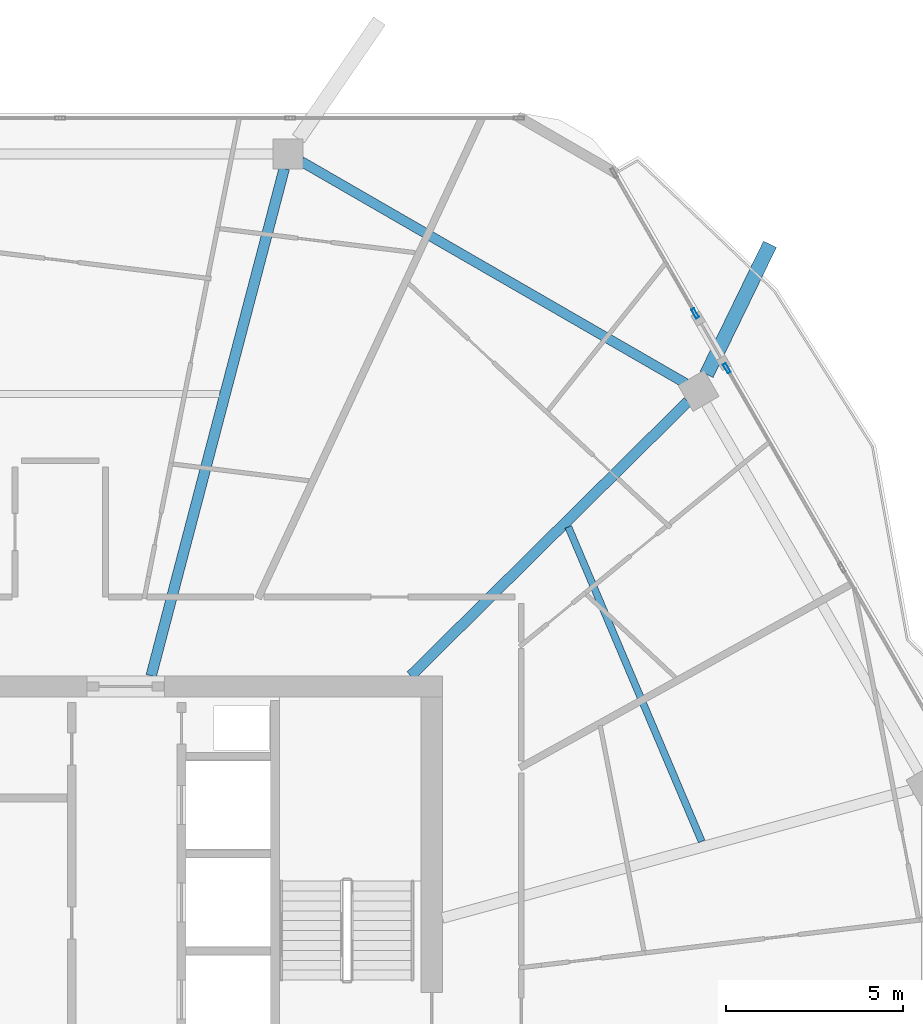
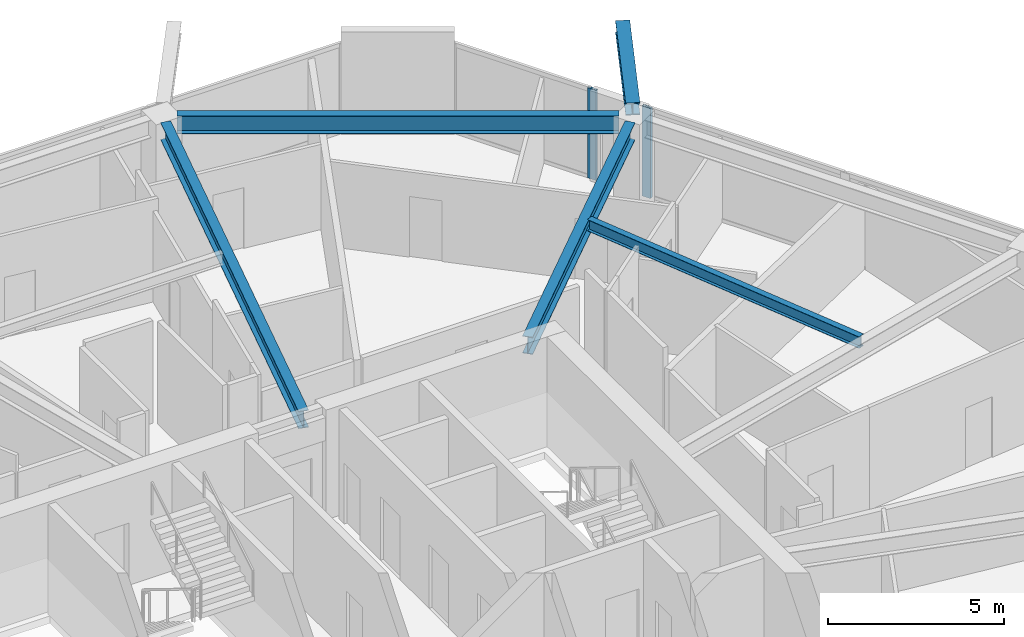
# One storey, part 14 of 26: 5 beams, 2 members, 2 elements without a shape of their own.
"""IFC4 building model written with IfcOpenShell, lengths in metres."""

from ifc_helpers import new_model, si_unit, direction, frame, origin, origin_2d, place, context, subcontext, project, spatial, hollow_rectangle, i_section, extrude, material, material_profile, profile_set, type_object, element, aggregate, save


model = new_model("IFC4")

# Units and contexts
model_context = context("Model", 3, precision=1e-05, world=origin(), true_north=direction((0.0, 1.0)))
body_context = subcontext(model_context, "Body", "Model", "MODEL_VIEW")
ifc_project = project(units=[si_unit("LENGTHUNIT", "METRE"), si_unit("AREAUNIT", "SQUARE_METRE"), si_unit("VOLUMEUNIT", "CUBIC_METRE"), si_unit("PLANEANGLEUNIT", "RADIAN"), si_unit("MASSUNIT", "GRAM", prefix="KILO")], contexts=[model_context])

# Site, building, storey
site_placement = place(None, origin())
site = spatial("IfcSite", under=ifc_project, at=site_placement, CompositionType="ELEMENT")
building_placement = place(site_placement, origin())
building = spatial("IfcBuilding", under=site, at=building_placement, Name="Zuhravey Tower", CompositionType="ELEMENT")
storey_placement = place(building_placement, frame((0.0, 0.0, 273.0)))
storey = spatial("IfcBuildingStorey", under=building, at=storey_placement, Name="L69", CompositionType="ELEMENT", Elevation=273.0)

# Curtain wall, member
ifc_material_1 = material(Name="Thermally broken anodised aluminium", Category="aluminium")
curtain_wall_type = type_object("IfcCurtainWallType", Name="Zone 3-4 High-Rise Curtain Wall CW4", PredefinedType="NOTDEFINED", material=ifc_material_1)
curtain_wall_1_placement = place(storey_placement, origin())
curtain_wall_1 = element("IfcCurtainWall", 1, at=curtain_wall_1_placement, inside=storey, type_object=curtain_wall_type, Name="L69 CW4 CW-L69-F1-1", PredefinedType="NOTDEFINED")
ifc_material_2 = material(Name="Anodised aluminium", Category="aluminium")
ifc_material_profile_1 = material_profile(ifc_material_2, hollow_rectangle(XDim=0.090087890625, YDim=0.284912109375, WallThickness=0.0048828125, at=origin_2d()), Name="ALU-RHS-90x285x5")
ifc_profile_set_1 = profile_set([ifc_material_profile_1], Name="Anodised aluminium")
member_type = type_object("IfcMemberType", Name="Curtain-Wall Mullion 90x180", PredefinedType="MULLION", material=ifc_profile_set_1)
member_1_placement = place(storey_placement, frame((53.94580078125, 52.04443359375, 0.0), z_axis=(0.0, 0.0, 1.0), x_axis=(0.866018752921, 0.500011519456, 0.0)))
member_1 = element("IfcMember", 2, at=member_1_placement, type_object=member_type, Name="CW4 mullion 2", PredefinedType="MULLION", context=body_context, shape_type="SweptSolid", body=[
    extrude(hollow_rectangle(XDim=0.090087890625, YDim=0.284912109375, WallThickness=0.0048828125, at=origin_2d()), origin(), (0.0, 0.0, 1.0), 3.1220703125),
])
aggregate(curtain_wall_1, [member_1])

curtain_wall_2_placement = place(storey_placement, origin())
curtain_wall_2 = element("IfcCurtainWall", 3, at=curtain_wall_2_placement, inside=storey, type_object=curtain_wall_type, Name="L69 CW4 CW-L69-F1-2", PredefinedType="NOTDEFINED")
member_2_placement = place(storey_placement, frame((54.8408203125, 50.494140625, 0.0), z_axis=(0.0, 0.0, 1.0), x_axis=(0.866025529954, 0.499999781467, 0.0)))
member_2 = element("IfcMember", 4, at=member_2_placement, type_object=member_type, Name="CW4 mullion 1", PredefinedType="MULLION", context=body_context, shape_type="SweptSolid", body=[
    extrude(hollow_rectangle(XDim=0.090087890625, YDim=0.284912109375, WallThickness=0.0048828125, at=origin_2d()), origin(), (0.0, 0.0, 1.0), 3.1220703125),
])
aggregate(curtain_wall_2, [member_2])

# Beams
ifc_material_3 = material(Name="Steel SM460", Category="steel")
ifc_material_profile_2 = material_profile(ifc_material_3, i_section(OverallWidth=0.406982421875, OverallDepth=0.427978515625, WebThickness=0.02001953125, FlangeThickness=0.034912109375, at=origin_2d()), Name="H-428x407x20x35")
ifc_profile_set_2 = profile_set([ifc_material_profile_2], Name="Steel SM460")
beam_type_1 = type_object("IfcBeamType", Name="Exoskeleton Node Tie Beam H428x407", PredefinedType="BEAM", material=ifc_profile_set_2)
beam_1_placement = place(storey_placement, frame((54.269775390625, 50.319580078125, 3.3359375), z_axis=(0.437614415543, 0.899162734609, 0.0), x_axis=(-0.899162734609, 0.437614415543, 0.0)))
element("IfcBeam", 5, at=beam_1_placement, inside=storey, type_object=beam_type_1, Name="L69 Exoskeleton Node Tie NT1-02", PredefinedType="BEAM", context=body_context, shape_type="SweptSolid", body=[
    extrude(i_section(OverallWidth=0.406982421875, OverallDepth=0.427978515625, WebThickness=0.02001953125, FlangeThickness=0.034912109375, at=origin_2d()), origin(), (0.0, 0.0, 1.0), 4.09033203125),
])
ifc_material_4 = material(Name="Steel SM355", Category="steel")
ifc_material_profile_3 = material_profile(ifc_material_4, i_section(OverallWidth=0.280029296875, OverallDepth=0.6201171875, WebThickness=0.011962890625, FlangeThickness=0.02001953125, at=origin_2d()), Name="H-620x280x12x20")
ifc_profile_set_3 = profile_set([ifc_material_profile_3], Name="Steel SM355")
beam_type_2 = type_object("IfcBeamType", Name="Perimeter Ring Beam H620x280", PredefinedType="BEAM", material=ifc_profile_set_3)
beam_2_placement = place(storey_placement, frame((53.6728515625, 50.068603515625, 3.239990234375), z_axis=(-0.866018312875, 0.500012281615, 0.0), x_axis=(-0.500012281615, -0.866018312875, 0.0)))
element("IfcBeam", 6, at=beam_2_placement, inside=storey, type_object=beam_type_2, Name="L69 PB3 BM-L69-PB-02", PredefinedType="BEAM", context=body_context, shape_type="SweptSolid", body=[
    extrude(i_section(OverallWidth=0.280029296875, OverallDepth=0.6201171875, WebThickness=0.011962890625, FlangeThickness=0.02001953125, at=origin_2d()), origin(), (0.0, 0.0, 1.0), 12.541748046875),
])
ifc_material_profile_4 = material_profile(ifc_material_4, i_section(OverallWidth=0.300048828125, OverallDepth=0.60009765625, WebThickness=0.011962890625, FlangeThickness=0.02001953125, at=origin_2d()), Name="H-600x300x12x20")
ifc_profile_set_4 = profile_set([ifc_material_profile_4], Name="Steel SM355")
beam_type_3 = type_object("IfcBeamType", Name="Radial Primary Girder H600x300", PredefinedType="BEAM", material=ifc_profile_set_4)
beam_3_placement = place(storey_placement, frame((45.90673828125, 41.802978515625, 3.25), z_axis=(0.710808169267, 0.70338591577, 0.0), x_axis=(-0.70338591577, 0.710808169267, 0.0)))
element("IfcBeam", 7, at=beam_3_placement, inside=storey, type_object=beam_type_3, Name="L69 RG3 BM-L69-RAD-02", PredefinedType="BEAM", context=body_context, shape_type="SweptSolid", body=[
    extrude(i_section(OverallWidth=0.300048828125, OverallDepth=0.60009765625, WebThickness=0.011962890625, FlangeThickness=0.02001953125, at=origin_2d()), origin(), (0.0, 0.0, 1.0), 11.019287109375),
])
beam_4_placement = place(storey_placement, frame((38.571533203125, 41.802978515625, 3.25), z_axis=(0.25373188956, 0.967274587809, 0.0), x_axis=(-0.967274587809, 0.25373188956, 0.0)))
element("IfcBeam", 8, at=beam_4_placement, inside=storey, type_object=beam_type_3, Name="L69 RG3 BM-L69-RAD-03", PredefinedType="BEAM", context=body_context, shape_type="SweptSolid", body=[
    extrude(i_section(OverallWidth=0.300048828125, OverallDepth=0.60009765625, WebThickness=0.011962890625, FlangeThickness=0.02001953125, at=origin_2d()), origin(), (0.0, 0.0, 1.0), 14.82177734375),
])
ifc_material_profile_5 = material_profile(ifc_material_4, i_section(OverallWidth=0.199951171875, OverallDepth=0.39990234375, WebThickness=0.008056640625, FlangeThickness=0.012939453125, at=origin_2d()), Name="H-400x200x8x13")
ifc_profile_set_5 = profile_set([ifc_material_profile_5], Name="Steel SM355")
beam_type_4 = type_object("IfcBeamType", Name="Secondary Floor Joist H400x200", PredefinedType="JOIST", material=ifc_profile_set_5)
beam_5_placement = place(storey_placement, frame((54.130859375, 37.118896484375, 3.35009765625), z_axis=(-0.390413493754, 0.920639616731, 0.0), x_axis=(-0.920639616731, -0.390413493754, 0.0)))
element("IfcBeam", 9, at=beam_5_placement, inside=storey, type_object=beam_type_4, Name="L69 SJ2 BM-L69-SJ-01-1", PredefinedType="JOIST", context=body_context, shape_type="SweptSolid", body=[
    extrude(i_section(OverallWidth=0.199951171875, OverallDepth=0.39990234375, WebThickness=0.008056640625, FlangeThickness=0.012939453125, at=origin_2d()), origin(), (0.0, 0.0, 1.0), 9.656494140625),
])

save(model, "model.ifc")
